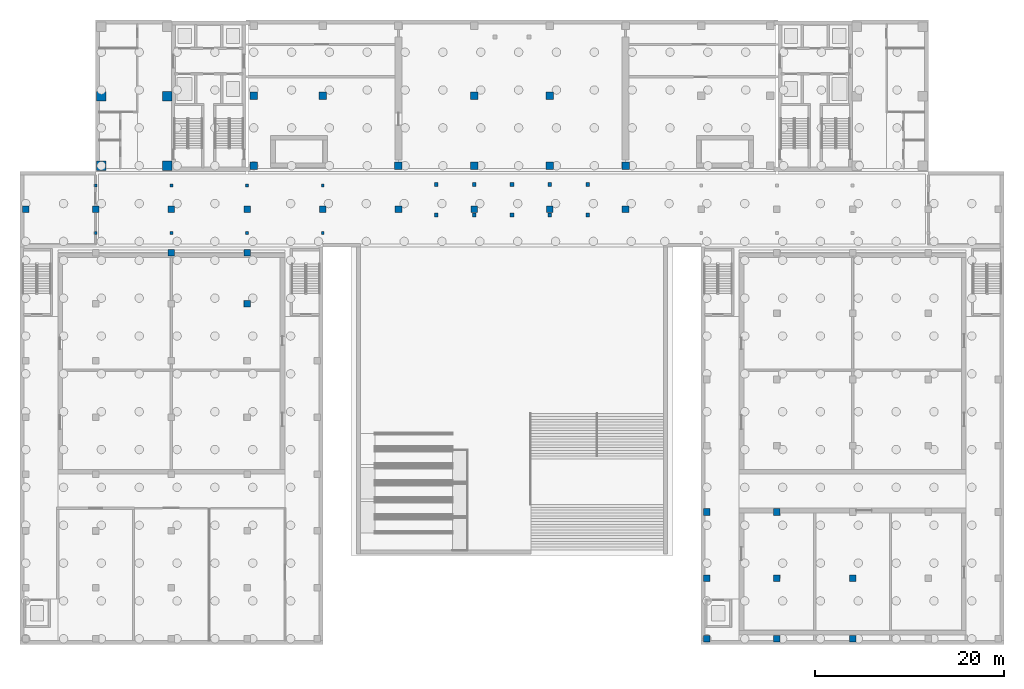
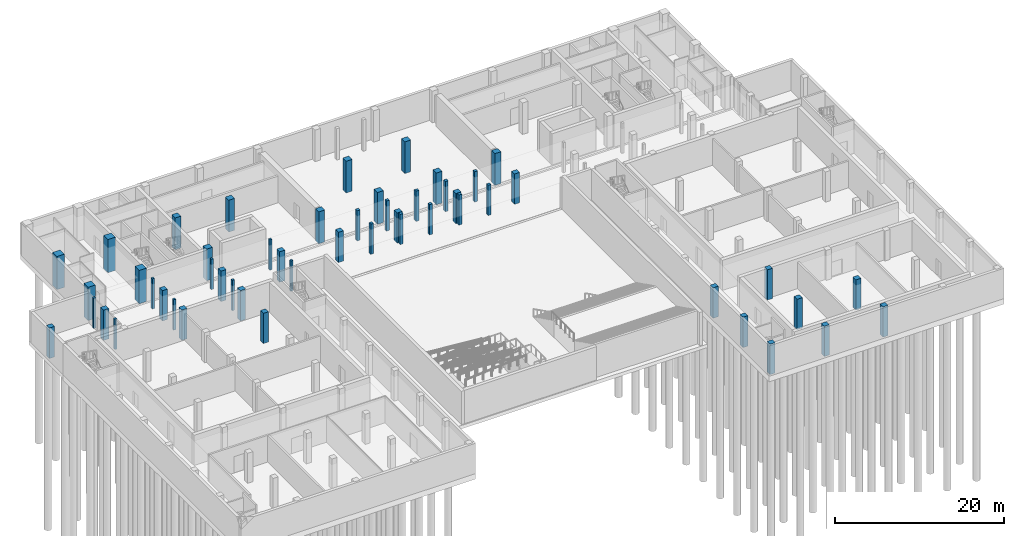
# One storey, part 3 of 21: 51 columns.
"""IFC4 building model written with IfcOpenShell, lengths in metres."""

from ifc_helpers import new_model, si_unit, direction, frame, origin, origin_2d, place, context, subcontext, project, spatial, rectangle, extrude, material, material_profile, profile_set, type_object, element, save


model = new_model("IFC4")

# Units and contexts
model_context = context("Model", 3, precision=1e-05, world=origin(), true_north=direction((0.0, 1.0)))
body_context = subcontext(model_context, "Body", "Model", "MODEL_VIEW")
ifc_project = project(units=[si_unit("LENGTHUNIT", "METRE"), si_unit("AREAUNIT", "SQUARE_METRE"), si_unit("VOLUMEUNIT", "CUBIC_METRE"), si_unit("PLANEANGLEUNIT", "RADIAN"), si_unit("MASSUNIT", "GRAM", prefix="KILO")], contexts=[model_context])

# Site, building, storey
site_placement = place(None, origin())
site = spatial("IfcSite", under=ifc_project, at=site_placement, CompositionType="ELEMENT")
building_placement = place(site_placement, origin())
building = spatial("IfcBuilding", under=site, at=building_placement, Name="Lantern Court Media Centre", CompositionType="ELEMENT")
storey_placement = place(building_placement, frame((0.0, 0.0, -4.800048828125)))
storey = spatial("IfcBuildingStorey", under=building, at=storey_placement, Name="B1", CompositionType="ELEMENT", Elevation=-4.800048828125)

# Columns
ifc_material = material(Name="Concrete C35", Category="concrete")
ifc_material_profile_1 = material_profile(ifc_material, rectangle(XDim=0.300048828125, YDim=0.300048828125, at=origin_2d()), Name="RC 300x300")
ifc_profile_set_1 = profile_set([ifc_material_profile_1], Name="Concrete C35")
column_type_1 = type_object("IfcColumnType", Name="Cloister post pedestal RC 300x300", PredefinedType="COLUMN", material=ifc_profile_set_1)
for number, where, z_axis, x_axis, name in (
    (1, (8.0, 41.5, 0.0), (0.0, 0.0, 1.0), (1.0, 0.0, 0.0), "Cloister post pedestal 13"),
    (2, (8.0, 46.5, 0.0), (0.0, 0.0, 1.0), (1.0, 0.0, 0.0), "Cloister post pedestal 14"),
    (3, (16.0, 41.5, 0.0), (0.0, 0.0, 1.0), (1.0, 0.0, 0.0), "Cloister post pedestal 15"),
    (4, (16.0, 46.5, 0.0), (0.0, 0.0, 1.0), (1.0, 0.0, 0.0), "Cloister post pedestal 16"),
    (5, (24.0, 41.5, 0.0), (0.0, 0.0, 1.0), (1.0, 0.0, 0.0), "Cloister post pedestal 17"),
    (6, (24.0, 46.5, 0.0), (0.0, 0.0, 1.0), (1.0, 0.0, 0.0), "Cloister post pedestal 18"),
    (7, (32.0, 41.5, 0.0), (0.0, 0.0, 1.0), (1.0, 0.0, 0.0), "Cloister post pedestal 19"),
    (8, (32.0, 46.5, 0.0), (0.0, 0.0, 1.0), (1.0, 0.0, 0.0), "Cloister post pedestal 20"),
):
    element("IfcColumn", number, at=place(storey_placement, frame(where, z_axis=z_axis, x_axis=x_axis)), inside=storey, type_object=column_type_1, Name=name, PredefinedType="COLUMN", context=body_context, shape_type="SweptSolid", body=[
        extrude(rectangle(XDim=0.300048828125, YDim=0.300048828125, at=origin_2d()), origin(), (0.0, 0.0, 1.0), 4.380126953125),
    ])
ifc_material_profile_2 = material_profile(ifc_material, rectangle(XDim=0.39990234375, YDim=0.39990234375, at=origin_2d()), Name="RC 400x400")
ifc_profile_set_2 = profile_set([ifc_material_profile_2], Name="Concrete C35")
column_type_2 = type_object("IfcColumnType", Name="Entrance canopy post pedestal RC 400x400", PredefinedType="COLUMN", material=ifc_profile_set_2)
for number, where, z_axis, x_axis, name in (
    (9, (44.0, 43.39990234375, 0.0), (0.0, 0.0, 1.0), (1.0, 0.0, 0.0), "Entrance canopy post pedestal 1"),
    (10, (44.0, 46.60009765625, 0.0), (0.0, 0.0, 1.0), (1.0, 0.0, 0.0), "Entrance canopy post pedestal 2"),
    (11, (48.0, 43.39990234375, 0.0), (0.0, 0.0, 1.0), (1.0, 0.0, 0.0), "Entrance canopy post pedestal 3"),
    (12, (48.0, 46.60009765625, 0.0), (0.0, 0.0, 1.0), (1.0, 0.0, 0.0), "Entrance canopy post pedestal 4"),
    (13, (52.0, 43.39990234375, 0.0), (0.0, 0.0, 1.0), (1.0, 0.0, 0.0), "Entrance canopy post pedestal 5"),
    (14, (52.0, 46.60009765625, 0.0), (0.0, 0.0, 1.0), (1.0, 0.0, 0.0), "Entrance canopy post pedestal 6"),
    (15, (56.0, 43.39990234375, 0.0), (0.0, 0.0, 1.0), (1.0, 0.0, 0.0), "Entrance canopy post pedestal 7"),
    (16, (56.0, 46.60009765625, 0.0), (0.0, 0.0, 1.0), (1.0, 0.0, 0.0), "Entrance canopy post pedestal 8"),
    (17, (60.0, 43.39990234375, 0.0), (0.0, 0.0, 1.0), (1.0, 0.0, 0.0), "Entrance canopy post pedestal 9"),
    (18, (60.0, 46.60009765625, 0.0), (0.0, 0.0, 1.0), (1.0, 0.0, 0.0), "Entrance canopy post pedestal 10"),
):
    element("IfcColumn", number, at=place(storey_placement, frame(where, z_axis=z_axis, x_axis=x_axis)), inside=storey, type_object=column_type_2, Name=name, PredefinedType="COLUMN", context=body_context, shape_type="SweptSolid", body=[
        extrude(rectangle(XDim=0.39990234375, YDim=0.39990234375, at=origin_2d()), origin(), (0.0, 0.0, 1.0), 4.380126953125),
    ])
ifc_material_profile_3 = material_profile(ifc_material, rectangle(XDim=1.0, YDim=1.0, at=origin_2d()), Name="RC 1000x1000")
ifc_profile_set_3 = profile_set([ifc_material_profile_3], Name="Concrete C35")
column_type_3 = type_object("IfcColumnType", Name="RC COLUMN 1000x1000", PredefinedType="COLUMN", material=ifc_profile_set_3)
for number, where, z_axis, x_axis, name in (
    (19, (8.60009765625, 48.60009765625, 0.0), (0.0, 0.0, 1.0), (1.0, 0.0, 0.0), "C-SW-0-B1"),
    (20, (8.60009765625, 55.949951171875, 0.0), (0.0, 0.0, 1.0), (1.0, 0.0, 0.0), "C-SW-1-B1"),
    (21, (15.550048828125, 48.60009765625, 0.0), (0.0, 0.0, 1.0), (1.0, 0.0, 0.0), "C-SW-3-B1"),
    (22, (15.550048828125, 55.949951171875, 0.0), (0.0, 0.0, 1.0), (1.0, 0.0, 0.0), "C-SW-4-B1"),
):
    element("IfcColumn", number, at=place(storey_placement, frame(where, z_axis=z_axis, x_axis=x_axis)), inside=storey, type_object=column_type_3, Name=name, PredefinedType="COLUMN", context=body_context, shape_type="SweptSolid", body=[
        extrude(rectangle(XDim=1.0, YDim=1.0, at=origin_2d()), origin(), (0.0, 0.0, 1.0), 4.800048828125),
    ])
ifc_material_profile_4 = material_profile(ifc_material, rectangle(XDim=0.699951171875, YDim=0.699951171875, at=origin_2d()), Name="RC 700x700")
ifc_profile_set_4 = profile_set([ifc_material_profile_4], Name="Concrete C35")
column_type_4 = type_object("IfcColumnType", Name="RC COLUMN 700x700", PredefinedType="COLUMN", material=ifc_profile_set_4)
for number, where, z_axis, x_axis, name in (
    (23, (16.0, 39.39990234375, 0.0), (0.0, 0.0, 1.0), (1.0, 0.0, 0.0), "C-V1-2-7-B1"),
    (24, (24.0, 34.0, 0.0), (0.0, 0.0, 1.0), (1.0, 0.0, 0.0), "C-V1-3-6-B1"),
    (25, (24.0, 39.39990234375, 0.0), (0.0, 0.0, 1.0), (1.0, 0.0, 0.0), "C-V1-3-7-B1"),
    (26, (72.60009765625, -1.39990234375, 0.0), (0.0, 0.0, 1.0), (1.0, 0.0, 0.0), "C-V2-0-0-B1"),
    (27, (72.60009765625, 5.0, 0.0), (0.0, 0.0, 1.0), (1.0, 0.0, 0.0), "C-V2-0-1-B1"),
    (28, (72.60009765625, 12.0, 0.0), (0.0, 0.0, 1.0), (1.0, 0.0, 0.0), "C-V2-0-2-B1"),
    (29, (80.0, -1.39990234375, 0.0), (0.0, 0.0, 1.0), (1.0, 0.0, 0.0), "C-V2-1-0-B1"),
    (30, (80.0, 5.0, 0.0), (0.0, 0.0, 1.0), (1.0, 0.0, 0.0), "C-V2-1-1-B1"),
    (31, (80.0, 12.0, 0.0), (0.0, 0.0, 1.0), (1.0, 0.0, 0.0), "C-V2-1-2-B1"),
    (32, (88.0, -1.39990234375, 0.0), (0.0, 0.0, 1.0), (1.0, 0.0, 0.0), "C-V2-2-0-B1"),
    (33, (88.0, 5.0, 0.0), (0.0, 0.0, 1.0), (1.0, 0.0, 0.0), "C-V2-2-1-B1"),
    (34, (0.60009765625, 44.0, 0.0), (0.0, 0.0, 1.0), (1.0, 0.0, 0.0), "C-GAL-0-B1"),
    (35, (8.0, 44.0, 0.0), (0.0, 0.0, 1.0), (1.0, 0.0, 0.0), "C-GAL-8-B1"),
    (36, (16.0, 44.0, 0.0), (0.0, 0.0, 1.0), (1.0, 0.0, 0.0), "C-GAL-16-B1"),
    (37, (24.0, 44.0, 0.0), (0.0, 0.0, 1.0), (1.0, 0.0, 0.0), "C-GAL-24-B1"),
    (38, (32.0, 44.0, 0.0), (0.0, 0.0, 1.0), (1.0, 0.0, 0.0), "C-GAL-32-B1"),
    (39, (40.0, 44.0, 0.0), (0.0, 0.0, 1.0), (1.0, 0.0, 0.0), "C-GAL-40-B1"),
    (40, (48.0, 44.0, 0.0), (0.0, 0.0, 1.0), (1.0, 0.0, 0.0), "C-GAL-48-B1"),
    (41, (56.0, 44.0, 0.0), (0.0, 0.0, 1.0), (1.0, 0.0, 0.0), "C-GAL-56-B1"),
    (42, (64.0, 44.0, 0.0), (0.0, 0.0, 1.0), (1.0, 0.0, 0.0), "C-GAL-64-B1"),
):
    element("IfcColumn", number, at=place(storey_placement, frame(where, z_axis=z_axis, x_axis=x_axis)), inside=storey, type_object=column_type_4, Name=name, PredefinedType="COLUMN", context=body_context, shape_type="SweptSolid", body=[
        extrude(rectangle(XDim=0.699951171875, YDim=0.699951171875, at=origin_2d()), origin(), (0.0, 0.0, 1.0), 4.380126953125),
    ])
ifc_material_profile_5 = material_profile(ifc_material, rectangle(XDim=0.800048828125, YDim=0.800048828125, at=origin_2d()), Name="RC 800x800")
ifc_profile_set_5 = profile_set([ifc_material_profile_5], Name="Concrete C35")
column_type_5 = type_object("IfcColumnType", Name="RC COLUMN 800x800", PredefinedType="COLUMN", material=ifc_profile_set_5)
for number, where, z_axis, x_axis, name in (
    (43, (24.699951171875, 48.60009765625, 0.0), (0.0, 0.0, 1.0), (1.0, 0.0, 0.0), "C-S-0-0-B1"),
    (44, (40.0, 48.60009765625, 0.0), (0.0, 0.0, 1.0), (1.0, 0.0, 0.0), "C-S-0-2-B1"),
    (45, (48.0, 48.60009765625, 0.0), (0.0, 0.0, 1.0), (1.0, 0.0, 0.0), "C-S-0-3-B1"),
    (46, (56.0, 48.60009765625, 0.0), (0.0, 0.0, 1.0), (1.0, 0.0, 0.0), "C-S-0-4-B1"),
    (47, (64.0, 48.60009765625, 0.0), (0.0, 0.0, 1.0), (1.0, 0.0, 0.0), "C-S-0-5-B1"),
    (48, (24.699951171875, 56.0, 0.0), (0.0, 0.0, 1.0), (1.0, 0.0, 0.0), "C-S-1-0-B1"),
    (49, (32.0, 56.0, 0.0), (0.0, 0.0, 1.0), (1.0, 0.0, 0.0), "C-S-1-1-B1"),
    (50, (48.0, 56.0, 0.0), (0.0, 0.0, 1.0), (1.0, 0.0, 0.0), "C-S-1-3-B1"),
    (51, (56.0, 56.0, 0.0), (0.0, 0.0, 1.0), (1.0, 0.0, 0.0), "C-S-1-4-B1"),
):
    element("IfcColumn", number, at=place(storey_placement, frame(where, z_axis=z_axis, x_axis=x_axis)), inside=storey, type_object=column_type_5, Name=name, PredefinedType="COLUMN", context=body_context, shape_type="SweptSolid", body=[
        extrude(rectangle(XDim=0.800048828125, YDim=0.800048828125, at=origin_2d()), origin(), (0.0, 0.0, 1.0), 4.580078125),
    ])

save(model, "model.ifc")
